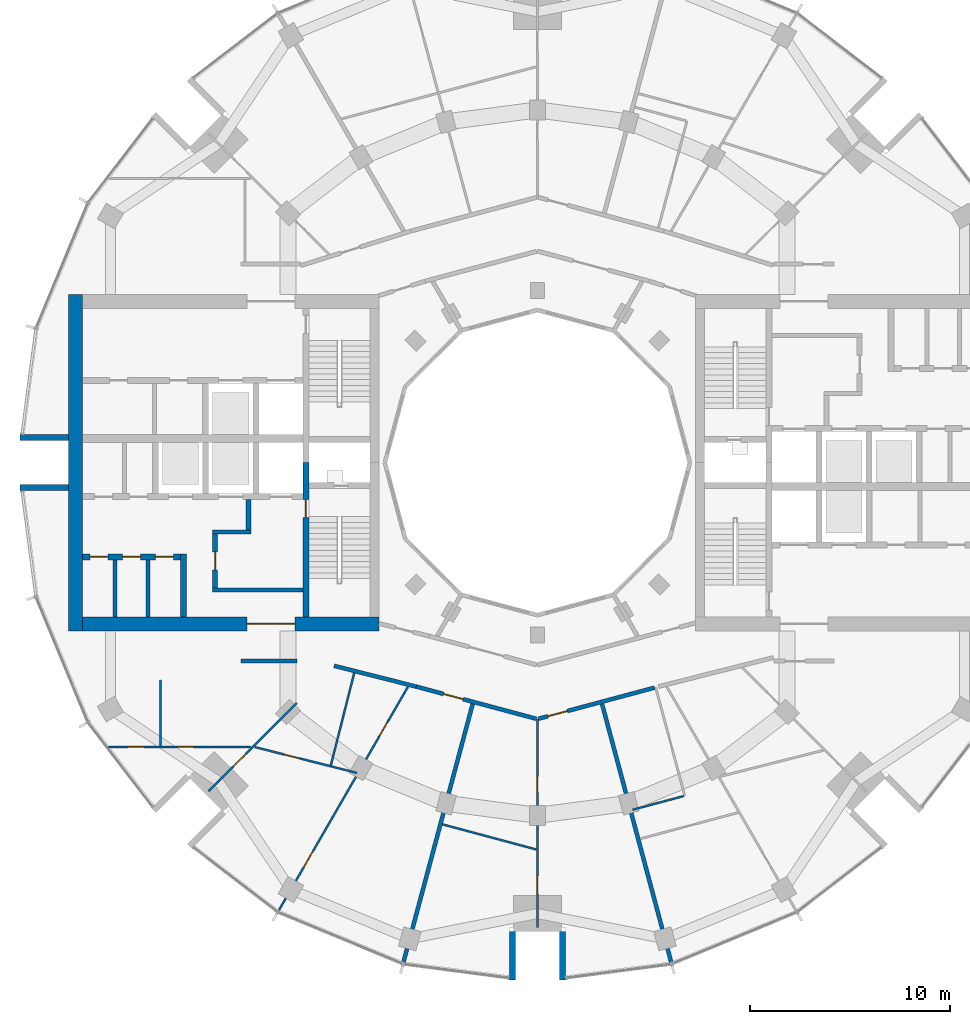
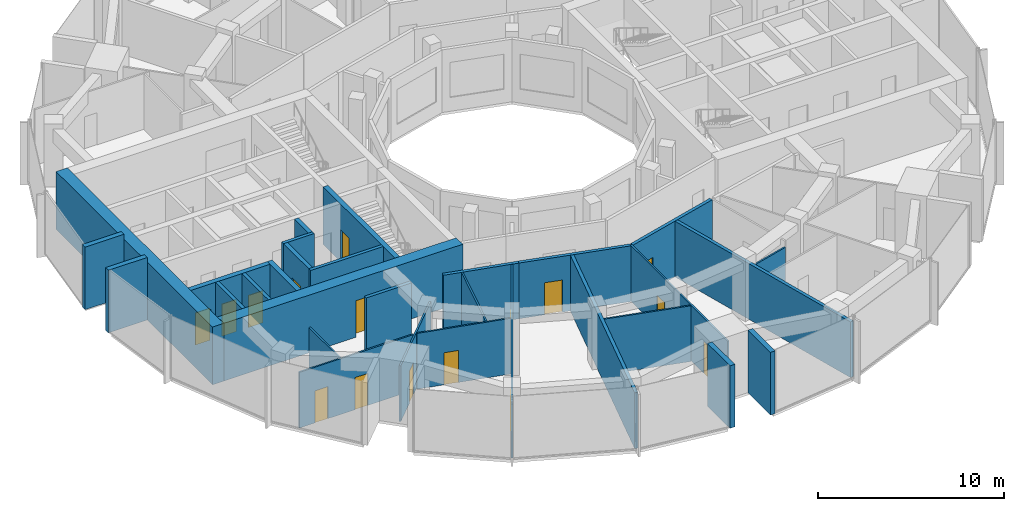
# One storey, part 8 of 15: 30 walls, 16 doors, 16 openings.
"""IFC4 building model written with IfcOpenShell, lengths in metres."""

from ifc_helpers import new_model, si_unit, direction, frame, frame_2d, origin, place, context, subcontext, project, spatial, rectangle, extrude, material, layer, layer_set, type_object, element, fill, save


model = new_model("IFC4")

# Units and contexts
model_context = context("Model", 3, precision=1e-05, world=origin(), true_north=direction((0.0, 1.0)))
body_context = subcontext(model_context, "Body", "Model", "MODEL_VIEW")
ifc_project = project(units=[si_unit("LENGTHUNIT", "METRE"), si_unit("AREAUNIT", "SQUARE_METRE"), si_unit("VOLUMEUNIT", "CUBIC_METRE"), si_unit("PLANEANGLEUNIT", "RADIAN"), si_unit("MASSUNIT", "GRAM", prefix="KILO")], contexts=[model_context])

# Site, building, storey
site_placement = place(None, origin())
site = spatial("IfcSite", under=ifc_project, at=site_placement, CompositionType="ELEMENT")
building_placement = place(site_placement, origin())
building = spatial("IfcBuilding", under=site, at=building_placement, Name="Torre Brocal", CompositionType="ELEMENT")
storey_placement = place(building_placement, frame((0.0, 0.0, 178.199951171875)))
storey = spatial("IfcBuildingStorey", under=building, at=storey_placement, Name="L41", CompositionType="ELEMENT", Elevation=178.199951171875)

# Walls
ifc_material_1 = material(Name="Masonry block", Category="masonry")
ifc_layer_1 = layer(ifc_material_1, 0.199951171875)
ifc_layer_set_1 = layer_set([ifc_layer_1], Name="Masonry block")
wall_type_1 = type_object("IfcWallType", Name="CORE PARTITION 200", PredefinedType="PARTITIONING", material=ifc_layer_set_1)
for number, where, z_axis, x_axis, name in (
    (1, (60.566650390625, 70.14990234375, 0.0), (0.0, 0.0, 1.0), (0.0, -1.0, 0.0), "Wall CP200"),
    (2, (58.933349609375, 70.14990234375, 0.0), (0.0, 0.0, 1.0), (0.0, -1.0, 0.0), "Wall CP200"),
):
    element("IfcWall", number, at=place(storey_placement, frame(where, z_axis=z_axis, x_axis=x_axis)), inside=storey, type_object=wall_type_1, Name=name, PredefinedType="PARTITIONING", context=body_context, shape_type="SweptSolid", body=[
        extrude(rectangle(XDim=2.849853515625, YDim=0.199951171875, at=frame_2d((1.4248046875, 0.0))), origin(), (0.0, 0.0, 1.0), 3.780029296875),
    ])
ifc_material_2 = material(Name="Concrete C70", Category="concrete")
ifc_layer_2 = layer(ifc_material_2, 0.199951171875)
ifc_layer_set_2 = layer_set([ifc_layer_2], Name="Concrete C70")
wall_type_2 = type_object("IfcWallType", Name="CORE WALL 200 C70", PredefinedType="SHEAR", material=ifc_layer_set_2)
wall_1_placement = place(storey_placement, frame((68.300048828125, 68.64990234375, 0.0), z_axis=(0.0, 0.0, 1.0), x_axis=(-1.0, 0.0, 0.0)))
element("IfcWall", 3, at=wall_1_placement, inside=storey, type_object=wall_type_2, Name="Wall CW200-70", PredefinedType="SHEAR", context=body_context, shape_type="SweptSolid", body=[
    extrude(rectangle(XDim=4.5, YDim=0.199951171875, at=frame_2d((2.25, 0.0))), origin(), (0.0, 0.0, 1.0), 3.780029296875),
])
wall_2_placement = place(storey_placement, frame((65.699951171875, 71.550048828125, 0.0), z_axis=(0.0, 0.0, 1.0), x_axis=(-1.0, 0.0, 0.0)))
element("IfcWall", 4, at=wall_2_placement, inside=storey, type_object=wall_type_2, Name="Wall CW200-70", PredefinedType="SHEAR", context=body_context, shape_type="SweptSolid", body=[
    extrude(rectangle(XDim=1.89990234375, YDim=0.199951171875, at=frame_2d((0.949951171875, 0.0))), origin(), (0.0, 0.0, 1.0), 3.780029296875),
])

# Wall, opening, door
ifc_material_3 = material(Name="Concrete C70", Category="concrete")
ifc_layer_3 = layer(ifc_material_3, 0.25)
ifc_layer_set_3 = layer_set([ifc_layer_3], Name="Concrete C70")
wall_type_3 = type_object("IfcWallType", Name="CORE WALL 250 C70", PredefinedType="SHEAR", material=ifc_layer_set_3)
wall_3_placement = place(storey_placement, frame((63.925048828125, 71.449951171875, 0.0), z_axis=(0.0, 0.0, 1.0), x_axis=(0.0, -1.0, 0.0)))
wall_3 = element("IfcWall", 5, at=wall_3_placement, inside=storey, type_object=wall_type_3, Name="Wall CW250-70", PredefinedType="SHEAR", context=body_context, shape_type="SweptSolid", body=[
    extrude(rectangle(XDim=2.699951171875, YDim=0.25, at=frame_2d((1.35009765625, 0.0))), origin(), (0.0, 0.0, 1.0), 3.780029296875),
])
opening_1_placement = place(wall_3_placement, frame((0.89990234375, 0.0, 0.0)))
opening_1 = element("IfcOpeningElement", 6, at=opening_1_placement, cuts=wall_3, Name="Opening W-D08", PredefinedType="OPENING", context=body_context, shape_type="SweptSolid", body=[
    extrude(rectangle(XDim=0.89990234375, YDim=2.10009765625, at=frame_2d((0.449951171875, 1.050048828125))), frame((0.0, 0.135009765625, 0.0), z_axis=(0.0, -1.0, 0.0), x_axis=(1.0, 0.0, 0.0)), (0.0, 0.0, 1.0), 0.27001953125),
])
ifc_material_4 = material(Name="Steel A653", Category="steel")
door_type_1 = type_object("IfcDoorType", Name="LOBBY DOOR FD120 900X2100", OperationType="SINGLE_SWING_RIGHT", PredefinedType="DOOR", material=ifc_material_4)
door_1_placement = place(opening_1_placement, origin())
door_1 = element("IfcDoor", 7, at=door_1_placement, inside=storey, type_object=door_type_1, Name="Door W-D08", OperationType="SINGLE_SWING_LEFT", OverallHeight=2.10009765625, OverallWidth=0.89990234375, PredefinedType="DOOR", context=body_context, shape_type="SweptSolid", body=[
    extrude(rectangle(XDim=0.89990234375, YDim=2.10009765625, at=frame_2d((0.449951171875, 1.050048828125))), frame((0.0, 0.02490234375, 0.0), z_axis=(0.0, -1.0, 0.0), x_axis=(1.0, 0.0, 0.0)), (0.0, 0.0, 1.0), 0.050048828125),
])
fill(opening_1, door_1)

# Wall
wall_4_placement = place(storey_placement, frame((65.574951171875, 73.14990234375, 0.0), z_axis=(0.0, 0.0, 1.0), x_axis=(0.0, -1.0, 0.0)))
element("IfcWall", 8, at=wall_4_placement, inside=storey, type_object=wall_type_3, Name="Wall CW250-70", PredefinedType="SHEAR", context=body_context, shape_type="SweptSolid", body=[
    extrude(rectangle(XDim=1.5, YDim=0.25, at=frame_2d((0.75, 0.0))), origin(), (0.0, 0.0, 1.0), 3.780029296875),
])

# Wall, opening, door
ifc_material_5 = material(Name="Concrete C70", Category="concrete")
ifc_layer_4 = layer(ifc_material_5, 0.300048828125)
ifc_layer_set_4 = layer_set([ifc_layer_4], Name="Concrete C70")
wall_type_4 = type_object("IfcWallType", Name="CORE WALL 300 C70", PredefinedType="SHEAR", material=ifc_layer_set_4)
wall_5_placement = place(storey_placement, frame((68.449951171875, 75.0, 0.0), z_axis=(0.0, 0.0, 1.0), x_axis=(0.0, -1.0, 0.0)))
wall_5 = element("IfcWall", 9, at=wall_5_placement, inside=storey, type_object=wall_type_4, Name="Wall CW300-70", PredefinedType="SHEAR", context=body_context, shape_type="SweptSolid", body=[
    extrude(rectangle(XDim=7.699951171875, YDim=0.300048828125, at=frame_2d((3.85009765625, 0.0))), origin(), (0.0, 0.0, 1.0), 3.780029296875),
])
opening_2_placement = place(wall_5_placement, frame((1.85009765625, 0.0, 0.0)))
opening_2 = element("IfcOpeningElement", 10, at=opening_2_placement, cuts=wall_5, Name="Opening W-D02", PredefinedType="OPENING", context=body_context, shape_type="SweptSolid", body=[
    extrude(rectangle(XDim=0.89990234375, YDim=2.10009765625, at=frame_2d((0.449951171875, 1.050048828125))), frame((0.0, 0.159912109375, 0.0), z_axis=(0.0, -1.0, 0.0), x_axis=(1.0, 0.0, 0.0)), (0.0, 0.0, 1.0), 0.320068359375),
])
ifc_material_6 = material(Name="Steel A653", Category="steel")
door_type_2 = type_object("IfcDoorType", Name="STAIR DOOR FD120 900X2100", OperationType="SINGLE_SWING_RIGHT", PredefinedType="DOOR", material=ifc_material_6)
door_2_placement = place(opening_2_placement, origin())
door_2 = element("IfcDoor", 11, at=door_2_placement, inside=storey, type_object=door_type_2, Name="Door W-D02", OperationType="SINGLE_SWING_LEFT", OverallHeight=2.10009765625, OverallWidth=0.89990234375, PredefinedType="DOOR", context=body_context, shape_type="SweptSolid", body=[
    extrude(rectangle(XDim=0.89990234375, YDim=2.10009765625, at=frame_2d((0.449951171875, 1.050048828125))), frame((0.0, 0.02490234375, 0.0), z_axis=(0.0, -1.0, 0.0), x_axis=(1.0, 0.0, 0.0)), (0.0, 0.0, 1.0), 0.050048828125),
])
fill(opening_2, door_2)

# Wall
wall_6_placement = place(storey_placement, frame((62.35009765625, 70.449951171875, 0.0), z_axis=(0.0, 0.0, 1.0), x_axis=(0.0, -1.0, 0.0)))
element("IfcWall", 12, at=wall_6_placement, inside=storey, type_object=wall_type_4, Name="Wall CW300-70", PredefinedType="SHEAR", context=body_context, shape_type="SweptSolid", body=[
    extrude(rectangle(XDim=3.14990234375, YDim=0.300048828125, at=frame_2d((1.574951171875, 0.0))), origin(), (0.0, 0.0, 1.0), 3.780029296875),
])

# Wall, openings, doors
wall_7_placement = place(storey_placement, frame((62.199951171875, 70.300048828125, 0.0), z_axis=(0.0, 0.0, 1.0), x_axis=(-1.0, 0.0, 0.0)))
wall_7 = element("IfcWall", 13, at=wall_7_placement, inside=storey, type_object=wall_type_4, Name="Wall CW300-70", PredefinedType="SHEAR", context=body_context, shape_type="SweptSolid", body=[
    extrude(rectangle(XDim=4.89990234375, YDim=0.300048828125, at=frame_2d((2.449951171875, 0.0))), origin(), (0.0, 0.0, 1.0), 3.780029296875),
])
opening_3_placement = place(wall_7_placement, frame((0.36669921875, 0.0, 0.0)))
opening_3 = element("IfcOpeningElement", 14, at=opening_3_placement, cuts=wall_7, Name="Opening W-D09", PredefinedType="OPENING", context=body_context, shape_type="SweptSolid", body=[
    extrude(rectangle(XDim=0.89990234375, YDim=2.10009765625, at=frame_2d((0.449951171875, 1.050048828125))), frame((0.0, 0.159912109375, 0.0), z_axis=(0.0, -1.0, 0.0), x_axis=(1.0, 0.0, 0.0)), (0.0, 0.0, 1.0), 0.320068359375),
])
opening_4_placement = place(wall_7_placement, frame((2.0, 0.0, 0.0)))
opening_4 = element("IfcOpeningElement", 15, at=opening_4_placement, cuts=wall_7, Name="Opening W-D10", PredefinedType="OPENING", context=body_context, shape_type="SweptSolid", body=[
    extrude(rectangle(XDim=0.89990234375, YDim=2.10009765625, at=frame_2d((0.449951171875, 1.050048828125))), frame((0.0, 0.159912109375, 0.0), z_axis=(0.0, -1.0, 0.0), x_axis=(1.0, 0.0, 0.0)), (0.0, 0.0, 1.0), 0.320068359375),
])
opening_5_placement = place(wall_7_placement, frame((3.63330078125, 0.0, 0.0)))
opening_5 = element("IfcOpeningElement", 16, at=opening_5_placement, cuts=wall_7, Name="Opening W-D11", PredefinedType="OPENING", context=body_context, shape_type="SweptSolid", body=[
    extrude(rectangle(XDim=0.89990234375, YDim=2.10009765625, at=frame_2d((0.449951171875, 1.050048828125))), frame((0.0, 0.159912109375, 0.0), z_axis=(0.0, -1.0, 0.0), x_axis=(1.0, 0.0, 0.0)), (0.0, 0.0, 1.0), 0.320068359375),
])
ifc_material_7 = material(Name="Steel A653", Category="steel")
door_type_3 = type_object("IfcDoorType", Name="ROOM DOOR FD30S 900X2100", OperationType="SINGLE_SWING_LEFT", PredefinedType="DOOR", material=ifc_material_7)
door_3_placement = place(opening_3_placement, origin())
door_3 = element("IfcDoor", 17, at=door_3_placement, inside=storey, type_object=door_type_3, Name="Door W-D09", OperationType="SINGLE_SWING_RIGHT", OverallHeight=2.10009765625, OverallWidth=0.89990234375, PredefinedType="DOOR", context=body_context, shape_type="SweptSolid", body=[
    extrude(rectangle(XDim=0.89990234375, YDim=2.10009765625, at=frame_2d((0.449951171875, 1.050048828125))), frame((0.0, 0.02490234375, 0.0), z_axis=(0.0, -1.0, 0.0), x_axis=(1.0, 0.0, 0.0)), (0.0, 0.0, 1.0), 0.050048828125),
])
fill(opening_3, door_3)
door_4_placement = place(opening_4_placement, origin())
door_4 = element("IfcDoor", 18, at=door_4_placement, inside=storey, type_object=door_type_3, Name="Door W-D10", OperationType="SINGLE_SWING_LEFT", OverallHeight=2.10009765625, OverallWidth=0.89990234375, PredefinedType="DOOR", context=body_context, shape_type="SweptSolid", body=[
    extrude(rectangle(XDim=0.89990234375, YDim=2.10009765625, at=frame_2d((0.449951171875, 1.050048828125))), frame((0.0, 0.02490234375, 0.0), z_axis=(0.0, -1.0, 0.0), x_axis=(1.0, 0.0, 0.0)), (0.0, 0.0, 1.0), 0.050048828125),
])
fill(opening_4, door_4)
door_5_placement = place(opening_5_placement, origin())
door_5 = element("IfcDoor", 19, at=door_5_placement, inside=storey, type_object=door_type_3, Name="Door W-D11", OperationType="SINGLE_SWING_LEFT", OverallHeight=2.10009765625, OverallWidth=0.89990234375, PredefinedType="DOOR", context=body_context, shape_type="SweptSolid", body=[
    extrude(rectangle(XDim=0.89990234375, YDim=2.10009765625, at=frame_2d((0.449951171875, 1.050048828125))), frame((0.0, 0.02490234375, 0.0), z_axis=(0.0, -1.0, 0.0), x_axis=(1.0, 0.0, 0.0)), (0.0, 0.0, 1.0), 0.050048828125),
])
fill(opening_5, door_5)

# Wall, opening, door
ifc_material_8 = material(Name="Concrete C70", Category="concrete")
ifc_layer_5 = layer(ifc_material_8, 0.699951171875)
ifc_layer_set_5 = layer_set([ifc_layer_5], Name="Concrete C70")
wall_type_5 = type_object("IfcWallType", Name="CORE WALL 700 C70", PredefinedType="SHEAR", material=ifc_layer_set_5)
wall_8_placement = place(storey_placement, frame((72.10009765625, 66.949951171875, 0.0), z_axis=(0.0, 0.0, 1.0), x_axis=(-1.0, 0.0, 0.0)))
wall_8 = element("IfcWall", 20, at=wall_8_placement, inside=storey, type_object=wall_type_5, Name="Wall CW700-70", PredefinedType="SHEAR", context=body_context, shape_type="SweptSolid", body=[
    extrude(rectangle(XDim=14.800048828125, YDim=0.699951171875, at=frame_2d((7.39990234375, 0.0))), origin(), (0.0, 0.0, 1.0), 3.780029296875),
])
opening_6_placement = place(wall_8_placement, frame((4.199951171875, 0.0, 0.0)))
opening_6 = element("IfcOpeningElement", 21, at=opening_6_placement, cuts=wall_8, Name="Opening W-D12", PredefinedType="OPENING", context=body_context, shape_type="SweptSolid", body=[
    extrude(rectangle(XDim=2.39990234375, YDim=2.39990234375, at=frame_2d((1.199951171875, 1.199951171875))), frame((0.0, 0.35986328125, 0.0), z_axis=(0.0, -1.0, 0.0), x_axis=(1.0, 0.0, 0.0)), (0.0, 0.0, 1.0), 0.719970703125),
])
ifc_material_9 = material(Name="Steel A653", Category="steel")
door_type_4 = type_object("IfcDoorType", Name="DOUBLE FIRE DOOR FD90 2400X2400", OperationType="DOUBLE_DOOR_SINGLE_SWING", PredefinedType="DOOR", material=ifc_material_9)
door_6_placement = place(opening_6_placement, frame((2.39990234375, 0.0, 0.0), z_axis=(0.0, 0.0, 1.0), x_axis=(-1.0, 0.0, 0.0)))
door_6 = element("IfcDoor", 22, at=door_6_placement, inside=storey, type_object=door_type_4, Name="Door W-D12", OperationType="DOUBLE_DOOR_SINGLE_SWING", OverallHeight=2.39990234375, OverallWidth=2.39990234375, PredefinedType="DOOR", context=body_context, shape_type="SweptSolid", body=[
    extrude(rectangle(XDim=2.39990234375, YDim=2.39990234375, at=frame_2d((1.199951171875, 1.199951171875))), frame((0.0, 0.02490234375, 0.0), z_axis=(0.0, -1.0, 0.0), x_axis=(1.0, 0.0, 0.0)), (0.0, 0.0, 1.0), 0.050048828125),
])
fill(opening_6, door_6)

# Walls
wall_9_placement = place(storey_placement, frame((56.949951171875, 83.39990234375, 0.0), z_axis=(0.0, 0.0, 1.0), x_axis=(0.0, -1.0, 0.0)))
element("IfcWall", 23, at=wall_9_placement, inside=storey, type_object=wall_type_5, Name="Wall CW700-70", PredefinedType="SHEAR", context=body_context, shape_type="SweptSolid", body=[
    extrude(rectangle(XDim=16.7998046875, YDim=0.699951171875, at=frame_2d((8.39990234375, 0.0))), origin(), (0.0, 0.0, 1.0), 3.780029296875),
])
ifc_material_10 = material(Name="Concrete C70", Category="concrete")
ifc_layer_6 = layer(ifc_material_10, 0.300048828125)
ifc_layer_set_6 = layer_set([ifc_layer_6], Name="Concrete C70")
wall_type_6 = type_object("IfcWallType", Name="NOTCH RETURN WALL 300 C70", PredefinedType="NOTDEFINED", material=ifc_layer_set_6)
for number, where, z_axis, x_axis, name in (
    (24, (56.60009765625, 76.25, 0.0), (0.0, 0.0, 1.0), (-1.0, 0.0, 0.0), "NOTCH RETURN WALL"),
    (25, (56.60009765625, 73.75, 0.0), (0.0, 0.0, 1.0), (-1.0, 0.0, 0.0), "NOTCH RETURN WALL"),
    (26, (78.75, 51.60009765625, 0.0), (0.0, 0.0, 1.0), (0.0, -1.0, 0.0), "NOTCH RETURN WALL"),
    (27, (81.25, 51.60009765625, 0.0), (0.0, 0.0, 1.0), (0.0, -1.0, 0.0), "NOTCH RETURN WALL"),
):
    element("IfcWall", number, at=place(storey_placement, frame(where, z_axis=z_axis, x_axis=x_axis)), inside=storey, type_object=wall_type_6, Name=name, PredefinedType="NOTDEFINED", context=body_context, shape_type="SweptSolid", body=[
        extrude(rectangle(XDim=2.415771484375, YDim=0.300048828125, at=frame_2d((1.2080078125, 0.0))), origin(), (0.0, 0.0, 1.0), 4.10009765625),
    ])

# Wall, openings, doors
ifc_material_11 = material(Name="Gypsum board", Category="Gypsum")
ifc_layer_7 = layer(ifc_material_11, 0.10009765625)
ifc_layer_set_7 = layer_set([ifc_layer_7], Name="Gypsum board")
wall_type_7 = type_object("IfcWallType", Name="PARTITION 100", PredefinedType="PARTITIONING", material=ifc_layer_set_7)
wall_10_placement = place(storey_placement, frame((58.60009765625, 60.81201171875, 0.0), z_axis=(0.0, 0.0, 1.0), x_axis=(1.0, 0.0, 0.0)))
wall_10 = element("IfcWall", 28, at=wall_10_placement, inside=storey, type_object=wall_type_7, Name="BATHROOM WALL", PredefinedType="PARTITIONING", context=body_context, shape_type="SweptSolid", body=[
    extrude(rectangle(XDim=7.091796875, YDim=0.10009765625, at=frame_2d((3.5458984375, 0.0))), origin(), (0.0, 0.0, 1.0), 3.650146484375),
])
opening_7_placement = place(wall_10_placement, frame((3.446044921875, 0.0, 0.0)))
opening_7 = element("IfcOpeningElement", 29, at=opening_7_placement, cuts=wall_10, Name="Opening R02-D33", PredefinedType="OPENING", context=body_context, shape_type="SweptSolid", body=[
    extrude(rectangle(XDim=0.800048828125, YDim=2.10009765625, at=frame_2d((0.39990234375, 1.050048828125))), frame((0.0, 0.06005859375, 0.0), z_axis=(0.0, -1.0, 0.0), x_axis=(1.0, 0.0, 0.0)), (0.0, 0.0, 1.0), 0.1201171875),
])
opening_8_placement = place(wall_10_placement, frame((0.965087890625, 0.0, 0.0)))
opening_8 = element("IfcOpeningElement", 30, at=opening_8_placement, cuts=wall_10, Name="Opening R02-D34", PredefinedType="OPENING", context=body_context, shape_type="SweptSolid", body=[
    extrude(rectangle(XDim=0.800048828125, YDim=2.10009765625, at=frame_2d((0.39990234375, 1.050048828125))), frame((0.0, 0.06005859375, 0.0), z_axis=(0.0, -1.0, 0.0), x_axis=(1.0, 0.0, 0.0)), (0.0, 0.0, 1.0), 0.1201171875),
])
ifc_material_12 = material(Name="Timber", Category="wood")
door_type_5 = type_object("IfcDoorType", Name="BATHROOM DOOR 800X2100", OperationType="SINGLE_SWING_LEFT", PredefinedType="DOOR", material=ifc_material_12)
door_7_placement = place(opening_7_placement, origin())
door_7 = element("IfcDoor", 31, at=door_7_placement, inside=storey, type_object=door_type_5, Name="R02-D33", OperationType="SINGLE_SWING_LEFT", OverallHeight=2.10009765625, OverallWidth=0.800048828125, PredefinedType="DOOR", context=body_context, shape_type="SweptSolid", body=[
    extrude(rectangle(XDim=0.800048828125, YDim=2.10009765625, at=frame_2d((0.39990234375, 1.050048828125))), frame((0.0, 0.02490234375, 0.0), z_axis=(0.0, -1.0, 0.0), x_axis=(1.0, 0.0, 0.0)), (0.0, 0.0, 1.0), 0.050048828125),
])
fill(opening_7, door_7)
door_8_placement = place(opening_8_placement, frame((0.800048828125, 0.0, 0.0), z_axis=(0.0, 0.0, 1.0), x_axis=(-1.0, 0.0, 0.0)))
door_8 = element("IfcDoor", 32, at=door_8_placement, inside=storey, type_object=door_type_5, Name="R02-D34", OperationType="SINGLE_SWING_RIGHT", OverallHeight=2.10009765625, OverallWidth=0.800048828125, PredefinedType="DOOR", context=body_context, shape_type="SweptSolid", body=[
    extrude(rectangle(XDim=0.800048828125, YDim=2.10009765625, at=frame_2d((0.39990234375, 1.050048828125))), frame((0.0, 0.02490234375, 0.0), z_axis=(0.0, -1.0, 0.0), x_axis=(1.0, 0.0, 0.0)), (0.0, 0.0, 1.0), 0.050048828125),
])
fill(opening_8, door_8)

# Wall
wall_11_placement = place(storey_placement, frame((61.199951171875, 60.862060546875, 0.0), z_axis=(0.0, 0.0, 1.0), x_axis=(0.0, 1.0, 0.0)))
element("IfcWall", 33, at=wall_11_placement, inside=storey, type_object=wall_type_7, Name="BATHROOM WALL", PredefinedType="PARTITIONING", context=body_context, shape_type="SweptSolid", body=[
    extrude(rectangle(XDim=3.282958984375, YDim=0.10009765625, at=frame_2d((1.6416015625, 0.0))), origin(), (0.0, 0.0, 1.0), 3.650146484375),
])

# Wall, opening, door
wall_12_placement = place(storey_placement, frame((63.59130859375, 58.60009765625, 0.0), z_axis=(0.0, 0.0, 1.0), x_axis=(0.707263550227, 0.706949977382, 0.0)))
wall_12 = element("IfcWall", 34, at=wall_12_placement, inside=storey, type_object=wall_type_7, Name="BATHROOM WALL", PredefinedType="PARTITIONING", context=body_context, shape_type="SweptSolid", body=[
    extrude(rectangle(XDim=6.228515625, YDim=0.10009765625, at=frame_2d((3.1142578125, 0.0))), origin(), (0.0, 0.0, 1.0), 3.650146484375),
])
opening_9_placement = place(wall_12_placement, frame((1.752197265625, 0.0, 0.0)))
opening_9 = element("IfcOpeningElement", 35, at=opening_9_placement, cuts=wall_12, Name="Opening R02-D32", PredefinedType="OPENING", context=body_context, shape_type="SweptSolid", body=[
    extrude(rectangle(XDim=0.89990234375, YDim=2.10009765625, at=frame_2d((0.449951171875, 1.050048828125))), frame((0.0, 0.06005859375, 0.0), z_axis=(0.0, -1.0, 0.0), x_axis=(1.0, 0.0, 0.0)), (0.0, 0.0, 1.0), 0.1201171875),
])
ifc_material_13 = material(Name="Timber", Category="wood")
door_type_6 = type_object("IfcDoorType", Name="ROOM DOOR 900X2100", OperationType="SINGLE_SWING_LEFT", PredefinedType="DOOR", material=ifc_material_13)
door_9_placement = place(opening_9_placement, origin())
door_9 = element("IfcDoor", 36, at=door_9_placement, inside=storey, type_object=door_type_6, Name="R02-D32", OperationType="SINGLE_SWING_LEFT", OverallHeight=2.10009765625, OverallWidth=0.89990234375, PredefinedType="DOOR", context=body_context, shape_type="SweptSolid", body=[
    extrude(rectangle(XDim=0.89990234375, YDim=2.10009765625, at=frame_2d((0.449951171875, 1.050048828125))), frame((0.0, 0.02490234375, 0.0), z_axis=(0.0, -1.0, 0.0), x_axis=(1.0, 0.0, 0.0)), (0.0, 0.0, 1.0), 0.050048828125),
])
fill(opening_9, door_9)

wall_13_placement = place(storey_placement, frame((65.90380859375, 60.806884765625, 0.0), z_axis=(0.0, 0.0, 1.0), x_axis=(0.969391307129, -0.245520861971, 0.0)))
wall_13 = element("IfcWall", 37, at=wall_13_placement, inside=storey, type_object=wall_type_7, Name="BATHROOM WALL", PredefinedType="PARTITIONING", context=body_context, shape_type="SweptSolid", body=[
    extrude(rectangle(XDim=5.251220703125, YDim=0.10009765625, at=frame_2d((2.62548828125, 0.0))), origin(), (0.0, 0.0, 1.0), 3.650146484375),
])
opening_10_placement = place(wall_13_placement, frame((1.51904296875, 0.0, 0.0)))
opening_10 = element("IfcOpeningElement", 38, at=opening_10_placement, cuts=wall_13, Name="Opening R02-D30", PredefinedType="OPENING", context=body_context, shape_type="SweptSolid", body=[
    extrude(rectangle(XDim=0.800048828125, YDim=2.10009765625, at=frame_2d((0.39990234375, 1.050048828125))), frame((0.0, 0.06005859375, 0.0), z_axis=(0.0, -1.0, 0.0), x_axis=(1.0, 0.0, 0.0)), (0.0, 0.0, 1.0), 0.1201171875),
])
door_10_placement = place(opening_10_placement, origin())
door_10 = element("IfcDoor", 39, at=door_10_placement, inside=storey, type_object=door_type_5, Name="R02-D30", OperationType="SINGLE_SWING_LEFT", OverallHeight=2.10009765625, OverallWidth=0.800048828125, PredefinedType="DOOR", context=body_context, shape_type="SweptSolid", body=[
    extrude(rectangle(XDim=0.800048828125, YDim=2.10009765625, at=frame_2d((0.39990234375, 1.050048828125))), frame((0.0, 0.02490234375, 0.0), z_axis=(0.0, -1.0, 0.0), x_axis=(1.0, 0.0, 0.0)), (0.0, 0.0, 1.0), 0.050048828125),
])
fill(opening_10, door_10)

# Wall, openings, doors
wall_14_placement = place(storey_placement, frame((67.099609375, 52.659423828125, 0.0), z_axis=(0.0, 0.0, 1.0), x_axis=(0.500072574725, 0.865983498692, 0.0)))
wall_14 = element("IfcWall", 40, at=wall_14_placement, inside=storey, type_object=wall_type_7, Name="BATHROOM WALL", PredefinedType="PARTITIONING", context=body_context, shape_type="SweptSolid", body=[
    extrude(rectangle(XDim=12.87646484375, YDim=0.10009765625, at=frame_2d((6.438232421875, 0.0))), origin(), (0.0, 0.0, 1.0), 3.650146484375),
])
opening_11_placement = place(wall_14_placement, frame((2.504150390625, 0.0, 0.0)))
opening_11 = element("IfcOpeningElement", 41, at=opening_11_placement, cuts=wall_14, Name="Opening R02-D29", PredefinedType="OPENING", context=body_context, shape_type="SweptSolid", body=[
    extrude(rectangle(XDim=0.89990234375, YDim=2.10009765625, at=frame_2d((0.449951171875, 1.050048828125))), frame((0.0, 0.06005859375, 0.0), z_axis=(0.0, -1.0, 0.0), x_axis=(1.0, 0.0, 0.0)), (0.0, 0.0, 1.0), 0.1201171875),
])
opening_12_placement = place(wall_14_placement, frame((10.0400390625, 0.0, 0.0)))
opening_12 = element("IfcOpeningElement", 42, at=opening_12_placement, cuts=wall_14, Name="Opening R02-D31", PredefinedType="OPENING", context=body_context, shape_type="SweptSolid", body=[
    extrude(rectangle(XDim=0.800048828125, YDim=2.10009765625, at=frame_2d((0.39990234375, 1.050048828125))), frame((0.0, 0.06005859375, 0.0), z_axis=(0.0, -1.0, 0.0), x_axis=(1.0, 0.0, 0.0)), (0.0, 0.0, 1.0), 0.1201171875),
])
door_11_placement = place(opening_12_placement, origin())
door_11 = element("IfcDoor", 43, at=door_11_placement, inside=storey, type_object=door_type_5, Name="R02-D31", OperationType="SINGLE_SWING_RIGHT", OverallHeight=2.10009765625, OverallWidth=0.800048828125, PredefinedType="DOOR", context=body_context, shape_type="SweptSolid", body=[
    extrude(rectangle(XDim=0.800048828125, YDim=2.10009765625, at=frame_2d((0.39990234375, 1.050048828125))), frame((0.0, 0.02490234375, 0.0), z_axis=(0.0, -1.0, 0.0), x_axis=(1.0, 0.0, 0.0)), (0.0, 0.0, 1.0), 0.050048828125),
])
fill(opening_12, door_11)
door_12_placement = place(opening_11_placement, origin())
door_12 = element("IfcDoor", 44, at=door_12_placement, inside=storey, type_object=door_type_6, Name="R02-D29", OperationType="SINGLE_SWING_LEFT", OverallHeight=2.10009765625, OverallWidth=0.89990234375, PredefinedType="DOOR", context=body_context, shape_type="SweptSolid", body=[
    extrude(rectangle(XDim=0.89990234375, YDim=2.10009765625, at=frame_2d((0.449951171875, 1.050048828125))), frame((0.0, 0.02490234375, 0.0), z_axis=(0.0, -1.0, 0.0), x_axis=(1.0, 0.0, 0.0)), (0.0, 0.0, 1.0), 0.050048828125),
])
fill(opening_11, door_12)

# Walls
wall_15_placement = place(storey_placement, frame((69.6953125, 59.8994140625, 0.0), z_axis=(0.0, 0.0, 1.0), x_axis=(0.245292232594, 0.96944918414, 0.0)))
element("IfcWall", 45, at=wall_15_placement, inside=storey, type_object=wall_type_7, Name="BATHROOM WALL", PredefinedType="PARTITIONING", context=body_context, shape_type="SweptSolid", body=[
    extrude(rectangle(XDim=4.74951171875, YDim=0.10009765625, at=frame_2d((2.374755859375, 0.0))), origin(), (0.0, 0.0, 1.0), 3.650146484375),
])
wall_16_placement = place(storey_placement, frame((75.26708984375, 56.949951171875, 0.0), z_axis=(0.0, 0.0, 1.0), x_axis=(0.965934541962, -0.258786515577, 0.0)))
element("IfcWall", 46, at=wall_16_placement, inside=storey, type_object=wall_type_7, Name="BATHROOM WALL", PredefinedType="PARTITIONING", context=body_context, shape_type="SweptSolid", body=[
    extrude(rectangle(XDim=4.839599609375, YDim=0.10009765625, at=frame_2d((2.419921875, 0.0))), origin(), (0.0, 0.0, 1.0), 3.650146484375),
])

# Wall, openings, doors
wall_17_placement = place(storey_placement, frame((80.0, 51.800048828125, 0.0), z_axis=(0.0, 0.0, 1.0), x_axis=(0.0, 1.0, 0.0)))
wall_17 = element("IfcWall", 47, at=wall_17_placement, inside=storey, type_object=wall_type_7, Name="BATHROOM WALL", PredefinedType="PARTITIONING", context=body_context, shape_type="SweptSolid", body=[
    extrude(rectangle(XDim=10.404052734375, YDim=0.10009765625, at=frame_2d((5.2021484375, 0.0))), origin(), (0.0, 0.0, 1.0), 3.650146484375),
])
opening_13_placement = place(wall_17_placement, frame((1.666015625, 0.0, 0.0)))
opening_13 = element("IfcOpeningElement", 48, at=opening_13_placement, cuts=wall_17, Name="Opening R02-D26", PredefinedType="OPENING", context=body_context, shape_type="SweptSolid", body=[
    extrude(rectangle(XDim=0.89990234375, YDim=2.10009765625, at=frame_2d((0.449951171875, 1.050048828125))), frame((0.0, 0.06005859375, 0.0), z_axis=(0.0, -1.0, 0.0), x_axis=(1.0, 0.0, 0.0)), (0.0, 0.0, 1.0), 0.1201171875),
])
opening_14_placement = place(wall_17_placement, frame((6.742919921875, 0.0, 0.0)))
opening_14 = element("IfcOpeningElement", 49, at=opening_14_placement, cuts=wall_17, Name="Opening R02-D27", PredefinedType="OPENING", context=body_context, shape_type="SweptSolid", body=[
    extrude(rectangle(XDim=0.800048828125, YDim=2.10009765625, at=frame_2d((0.39990234375, 1.050048828125))), frame((0.0, 0.06005859375, 0.0), z_axis=(0.0, -1.0, 0.0), x_axis=(1.0, 0.0, 0.0)), (0.0, 0.0, 1.0), 0.1201171875),
])
door_13_placement = place(opening_14_placement, origin())
door_13 = element("IfcDoor", 50, at=door_13_placement, inside=storey, type_object=door_type_5, Name="R02-D27", OperationType="SINGLE_SWING_LEFT", OverallHeight=2.10009765625, OverallWidth=0.800048828125, PredefinedType="DOOR", context=body_context, shape_type="SweptSolid", body=[
    extrude(rectangle(XDim=0.800048828125, YDim=2.10009765625, at=frame_2d((0.39990234375, 1.050048828125))), frame((0.0, 0.02490234375, 0.0), z_axis=(0.0, -1.0, 0.0), x_axis=(1.0, 0.0, 0.0)), (0.0, 0.0, 1.0), 0.050048828125),
])
fill(opening_14, door_13)
door_14_placement = place(opening_13_placement, origin())
door_14 = element("IfcDoor", 51, at=door_14_placement, inside=storey, type_object=door_type_6, Name="R02-D26", OperationType="SINGLE_SWING_RIGHT", OverallHeight=2.10009765625, OverallWidth=0.89990234375, PredefinedType="DOOR", context=body_context, shape_type="SweptSolid", body=[
    extrude(rectangle(XDim=0.89990234375, YDim=2.10009765625, at=frame_2d((0.449951171875, 1.050048828125))), frame((0.0, 0.02490234375, 0.0), z_axis=(0.0, -1.0, 0.0), x_axis=(1.0, 0.0, 0.0)), (0.0, 0.0, 1.0), 0.050048828125),
])
fill(opening_13, door_14)

# Walls
ifc_material_14 = material(Name="Gypsum board", Category="Gypsum")
ifc_layer_8 = layer(ifc_material_14, 0.10009765625)
ifc_layer_set_8 = layer_set([ifc_layer_8], Name="Gypsum board")
wall_type_8 = type_object("IfcWallType", Name="PARTITION 100 UNDER BEAM 820", PredefinedType="PARTITIONING", material=ifc_layer_set_8)
wall_18_placement = place(storey_placement, frame((84.74560546875, 57.677978515625, 0.0), z_axis=(0.0, 0.0, 1.0), x_axis=(0.965894568086, 0.258935674139, 0.0)))
element("IfcWall", 52, at=wall_18_placement, inside=storey, type_object=wall_type_8, Name="BATHROOM WALL", PredefinedType="PARTITIONING", context=body_context, shape_type="SweptSolid", body=[
    extrude(rectangle(XDim=2.6494140625, YDim=0.10009765625, at=frame_2d((1.32470703125, 0.0))), origin(), (0.0, 0.0, 1.0), 3.280029296875),
])
ifc_material_15 = material(Name="Gypsum board", Category="Gypsum")
ifc_layer_9 = layer(ifc_material_15, 0.199951171875)
ifc_layer_set_9 = layer_set([ifc_layer_9], Name="Gypsum board")
wall_type_9 = type_object("IfcWallType", Name="PARTITION 200 EI60", PredefinedType="PARTITIONING", material=ifc_layer_set_9)
wall_19_placement = place(storey_placement, frame((65.199951171875, 65.10009765625, 0.0), z_axis=(0.0, 0.0, 1.0), x_axis=(1.0, 0.0, 0.0)))
element("IfcWall", 53, at=wall_19_placement, inside=storey, type_object=wall_type_9, Name="GUESTROOM CORRIDOR WALL", PredefinedType="PARTITIONING", context=body_context, shape_type="SweptSolid", body=[
    extrude(rectangle(XDim=2.800048828125, YDim=0.199951171875, at=frame_2d((1.39990234375, 0.0))), origin(), (0.0, 0.0, 1.0), 3.650146484375),
])
wall_20_placement = place(storey_placement, frame((69.860107421875, 64.860107421875, 0.0), z_axis=(0.0, 0.0, 1.0), x_axis=(0.96942980222, -0.245368821506, 0.0)))
element("IfcWall", 54, at=wall_20_placement, inside=storey, type_object=wall_type_9, Name="FLAT ENTRANCE WALL", PredefinedType="PARTITIONING", context=body_context, shape_type="SweptSolid", body=[
    extrude(rectangle(XDim=4.2158203125, YDim=0.199951171875, at=frame_2d((2.10791015625, 0.0))), origin(), (0.0, 0.0, 1.0), 3.650146484375),
])
wall_21_placement = place(storey_placement, frame((73.32080078125, 50.081298828125, 0.0), z_axis=(0.0, 0.0, 1.0), x_axis=(0.258926994059, 0.965896894988, 0.0)))
element("IfcWall", 55, at=wall_21_placement, inside=storey, type_object=wall_type_9, Name="BATHROOM WALL", PredefinedType="PARTITIONING", context=body_context, shape_type="SweptSolid", body=[
    extrude(rectangle(XDim=13.338134765625, YDim=0.199951171875, at=frame_2d((6.6689453125, 0.0))), origin(), (0.0, 0.0, 1.0), 3.650146484375),
])

# Wall, opening, door
wall_22_placement = place(storey_placement, frame((73.947021484375, 63.825927734375, 0.0), z_axis=(0.0, 0.0, 1.0), x_axis=(0.965908253407, -0.258884619088, 0.0)))
wall_22 = element("IfcWall", 56, at=wall_22_placement, inside=storey, type_object=wall_type_9, Name="FLAT ENTRANCE WALL", PredefinedType="PARTITIONING", context=body_context, shape_type="SweptSolid", body=[
    extrude(rectangle(XDim=6.216552734375, YDim=0.199951171875, at=frame_2d((3.1083984375, 0.0))), origin(), (0.0, 0.0, 1.0), 3.650146484375),
])
opening_15_placement = place(wall_22_placement, frame((1.42431640625, 0.0, 0.0)))
opening_15 = element("IfcOpeningElement", 57, at=opening_15_placement, cuts=wall_22, Name="Opening R02-D28", PredefinedType="OPENING", context=body_context, shape_type="SweptSolid", body=[
    extrude(rectangle(XDim=1.0, YDim=2.10009765625, at=frame_2d((0.5, 1.050048828125))), frame((0.0, 0.10986328125, 0.0), z_axis=(0.0, -1.0, 0.0), x_axis=(1.0, 0.0, 0.0)), (0.0, 0.0, 1.0), 0.219970703125),
])
ifc_material_16 = material(Name="Timber", Category="wood")
door_type_7 = type_object("IfcDoorType", Name="FLAT ENTRY DOOR FD30S 1000X2100", OperationType="SINGLE_SWING_RIGHT", PredefinedType="DOOR", material=ifc_material_16)
door_15_placement = place(opening_15_placement, frame((1.0, 0.0, 0.0), z_axis=(0.0, 0.0, 1.0), x_axis=(-1.0, 0.0, 0.0)))
door_15 = element("IfcDoor", 58, at=door_15_placement, inside=storey, type_object=door_type_7, Name="R02-D28", OperationType="SINGLE_SWING_LEFT", OverallHeight=2.10009765625, OverallWidth=1.0, PredefinedType="DOOR", context=body_context, shape_type="SweptSolid", body=[
    extrude(rectangle(XDim=1.0, YDim=2.10009765625, at=frame_2d((0.5, 1.050048828125))), frame((0.0, 0.02490234375, 0.0), z_axis=(0.0, -1.0, 0.0), x_axis=(1.0, 0.0, 0.0)), (0.0, 0.0, 1.0), 0.050048828125),
])
fill(opening_15, door_15)

wall_23_placement = place(storey_placement, frame((80.04833984375, 62.217041015625, 0.0), z_axis=(0.0, 0.0, 1.0), x_axis=(0.965941520544, 0.258760466242, 0.0)))
wall_23 = element("IfcWall", 59, at=wall_23_placement, inside=storey, type_object=wall_type_9, Name="FLAT ENTRANCE WALL", PredefinedType="PARTITIONING", context=body_context, shape_type="SweptSolid", body=[
    extrude(rectangle(XDim=6.00634765625, YDim=0.199951171875, at=frame_2d((3.003173828125, 0.0))), origin(), (0.0, 0.0, 1.0), 3.650146484375),
])
opening_16_placement = place(wall_23_placement, frame((0.5, 0.0, 0.0)))
opening_16 = element("IfcOpeningElement", 60, at=opening_16_placement, cuts=wall_23, Name="Opening R02-D25", PredefinedType="OPENING", context=body_context, shape_type="SweptSolid", body=[
    extrude(rectangle(XDim=1.0, YDim=2.10009765625, at=frame_2d((0.5, 1.050048828125))), frame((0.0, 0.10986328125, 0.0), z_axis=(0.0, -1.0, 0.0), x_axis=(1.0, 0.0, 0.0)), (0.0, 0.0, 1.0), 0.219970703125),
])
door_16_placement = place(opening_16_placement, frame((1.0, 0.0, 0.0), z_axis=(0.0, 0.0, 1.0), x_axis=(-1.0, 0.0, 0.0)))
door_16 = element("IfcDoor", 61, at=door_16_placement, inside=storey, type_object=door_type_7, Name="R02-D25", OperationType="SINGLE_SWING_RIGHT", OverallHeight=2.10009765625, OverallWidth=1.0, PredefinedType="DOOR", context=body_context, shape_type="SweptSolid", body=[
    extrude(rectangle(XDim=1.0, YDim=2.10009765625, at=frame_2d((0.5, 1.050048828125))), frame((0.0, 0.02490234375, 0.0), z_axis=(0.0, -1.0, 0.0), x_axis=(1.0, 0.0, 0.0)), (0.0, 0.0, 1.0), 0.050048828125),
])
fill(opening_16, door_16)

# Wall
wall_24_placement = place(storey_placement, frame((83.22607421875, 62.964599609375, 0.0), z_axis=(0.0, 0.0, 1.0), x_axis=(0.258657094602, -0.965969206244, 0.0)))
element("IfcWall", 62, at=wall_24_placement, inside=storey, type_object=wall_type_9, Name="BATHROOM WALL", PredefinedType="PARTITIONING", context=body_context, shape_type="SweptSolid", body=[
    extrude(rectangle(XDim=13.337890625, YDim=0.199951171875, at=frame_2d((6.6689453125, 0.0))), origin(), (0.0, 0.0, 1.0), 3.650146484375),
])

save(model, "model.ifc")
